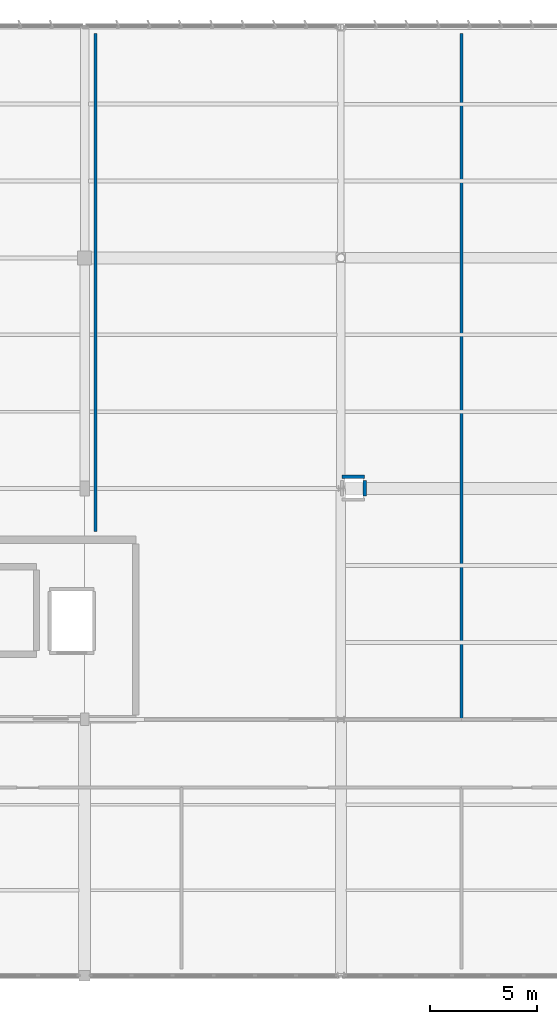
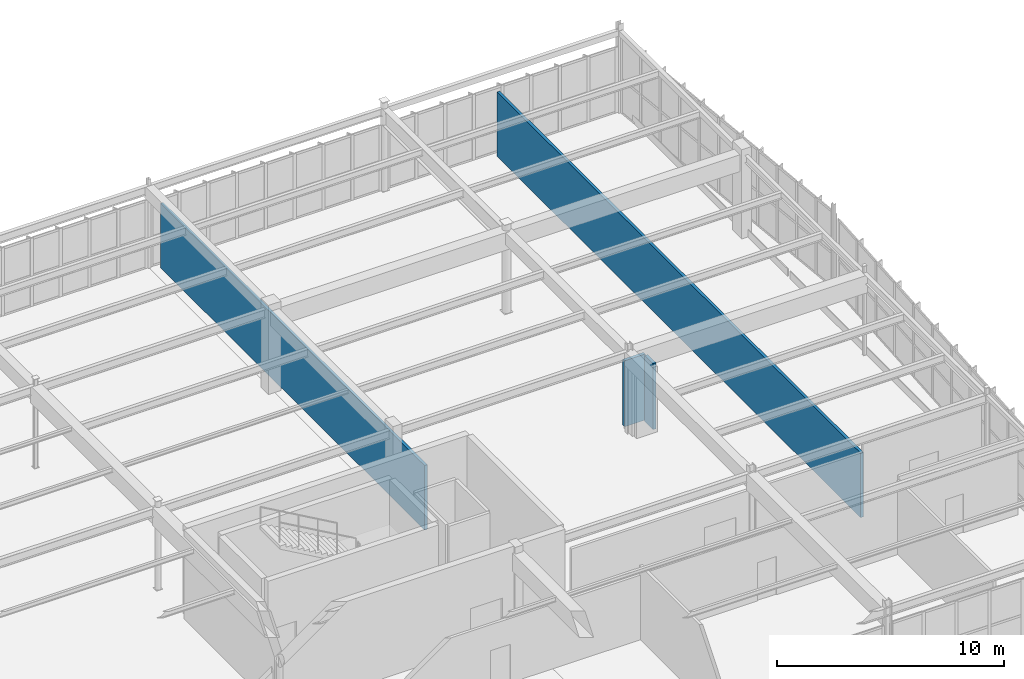
# One storey, part 199 of 226: 4 walls.
"""IFC4 building model written with IfcOpenShell, lengths in metres."""

import ifcopenshell
import ifcopenshell.guid

model = None  # the IFC model being written
_history = None  # IfcOwnerHistory: only IFC2X3 demands one
_inside = {}  # id of a spatial element -> (the spatial element, [elements in it])
_under = {}  # id of a project, library or spatial element -> (it, [spatial elements below it])
_declared = {}  # id of a project -> (the project, [libraries it declares])
_typed = {}  # id of a type object -> (the type object, [elements of that type])
_made_of = {}  # id of a material, layer set ... -> (it, [elements and type objects made of it])


def new_model(schema):
    """Start an empty IFC model of exactly this schema.

    Asked for "IFC4X3", IfcOpenShell would pick the latest addendum, in which some entities
    have other attributes; the version numbers below select the first issue.
    IFC2X3 requires an IfcOwnerHistory on every rooted entity: one is made here for all.
    """
    global model, _history
    if schema == "IFC4X3":
        model = ifcopenshell.file(schema_version=(4, 3, 0, 0))
    else:
        model = ifcopenshell.file(schema=schema)
    _inside.clear()
    _under.clear()
    _declared.clear()
    _typed.clear()
    _made_of.clear()
    _history = None
    if model.schema == "IFC2X3":
        org = make("IfcOrganization", Name="unknown")
        user = make(
            "IfcPersonAndOrganization",
            ThePerson=make("IfcPerson", FamilyName="unknown"),
            TheOrganization=org,
        )
        app = make(
            "IfcApplication",
            ApplicationDeveloper=org,
            Version="unknown",
            ApplicationFullName="unknown",
            ApplicationIdentifier="unknown",
        )
        _history = make(
            "IfcOwnerHistory",
            OwningUser=user,
            OwningApplication=app,
            ChangeAction="ADDED",
            CreationDate=0,
        )
    return model


def make(cls, **values):
    """One entity of the class cls with the attributes given. An attribute that is None is left unset."""
    return model.create_entity(
        cls, **{name: value for name, value in values.items() if value is not None}
    )


def rooted(cls, **values):
    """An entity with a GlobalId (a new one), such as an element, a storey or a relation."""
    return make(cls, GlobalId=ifcopenshell.guid.new(), OwnerHistory=_history, **values)


def si_unit(unit_type, name, prefix=None):
    """IfcSIUnit, for example si_unit("LENGTHUNIT", "METRE", prefix="MILLI")."""
    return make("IfcSIUnit", UnitType=unit_type, Prefix=prefix, Name=name)


def assignment(units):
    """IfcUnitAssignment: the units of a project."""
    return None if units is None else make("IfcUnitAssignment", Units=units)


def point(xyz):
    """IfcCartesianPoint."""
    return None if xyz is None else make("IfcCartesianPoint", Coordinates=xyz)


def direction(xyz):
    """IfcDirection."""
    return None if xyz is None else make("IfcDirection", DirectionRatios=xyz)


def frame(location, z_axis=None, x_axis=None):
    """IfcAxis2Placement3D, a coordinate frame: its origin and axes. An axis left out is left unset."""
    return make(
        "IfcAxis2Placement3D",
        Location=point(location),
        Axis=direction(z_axis),
        RefDirection=direction(x_axis),
    )


def frame_2d(location, x_axis=None):
    """IfcAxis2Placement2D, a coordinate frame in the plane: its origin and x axis."""
    return make(
        "IfcAxis2Placement2D", Location=point(location), RefDirection=direction(x_axis)
    )


def origin():
    """The frame at (0, 0, 0) with its axes left unset."""
    return frame((0.0, 0.0, 0.0))


def place(relative_to, where):
    """IfcLocalPlacement: puts the frame where relative to a parent placement (None: the world)."""
    return make(
        "IfcLocalPlacement", PlacementRelTo=relative_to, RelativePlacement=where
    )


def context(
    kind, dimensions, precision=None, world=None, true_north=None, identifier=None
):
    """IfcGeometricRepresentationContext, for example the 3D "Model" context."""
    return make(
        "IfcGeometricRepresentationContext",
        ContextIdentifier=identifier,
        ContextType=kind,
        CoordinateSpaceDimension=dimensions,
        Precision=precision,
        WorldCoordinateSystem=world,
        TrueNorth=true_north,
    )


def subcontext(parent, identifier, kind, view, scale=None):
    """IfcGeometricRepresentationSubContext, for example "Body" below "Model"."""
    return make(
        "IfcGeometricRepresentationSubContext",
        ContextIdentifier=identifier,
        ContextType=kind,
        ParentContext=parent,
        TargetScale=scale,
        TargetView=view,
    )


def project(units=None, contexts=None):
    """IfcProject with its units and contexts."""
    return rooted(
        "IfcProject",
        Name="project",
        RepresentationContexts=contexts,
        UnitsInContext=assignment(units),
    )


def spatial(cls, under=None, at=None, **own):
    """A site, building, storey or space (cls), placed at a placement, below another one or the project."""
    s = rooted(cls, ObjectPlacement=at, **own)
    if under is not None:
        _under.setdefault(under.id(), (under, []))[1].append(s)
    return s


def profile(cls, at=None, kind="AREA", **sizes):
    """A parametric profile (cls). Its sizes go by their IFC names, for example OverallWidth=200.0."""
    return make(cls, ProfileType=kind, Position=at, **sizes)


def rectangle(**sizes):
    """IfcRectangleProfileDef."""
    return profile("IfcRectangleProfileDef", **sizes)


def extrude(swept, where, along, depth):
    """IfcExtrudedAreaSolid: the profile swept, set in the frame where, extruded along a direction by depth."""
    return make(
        "IfcExtrudedAreaSolid",
        SweptArea=swept,
        Position=where,
        ExtrudedDirection=direction(along),
        Depth=depth,
    )


def shape(context_of_items, identifier, shape_type, items):
    """IfcShapeRepresentation: the items that make up one representation, for example the "Body"."""
    return make(
        "IfcShapeRepresentation",
        ContextOfItems=context_of_items,
        RepresentationIdentifier=identifier,
        RepresentationType=shape_type,
        Items=items,
    )


def material(Name=None, Category=None):
    """IfcMaterial."""
    return make("IfcMaterial", Name=Name, Category=Category)


def layer(
    of_material, thickness, ventilated=None, Name=None, Category=None, Priority=None
):
    """IfcMaterialLayer: one layer of a wall or slab, of a material (None: an air gap)."""
    return make(
        "IfcMaterialLayer",
        Material=of_material,
        LayerThickness=thickness,
        IsVentilated=ventilated,
        Name=Name,
        Category=Category,
        Priority=Priority,
    )


def layer_set(layers, Name=None):
    """IfcMaterialLayerSet."""
    return make("IfcMaterialLayerSet", MaterialLayers=layers, LayerSetName=Name)


def made_of(thing, what):
    """Note that an element or type object is made of a material, layer set ...; save() writes the relation."""
    if what is not None:
        _made_of.setdefault(what.id(), (what, []))[1].append(thing)
    return thing


def type_object(cls, material=None, **own):
    """A type object (cls), such as IfcWallType, which elements share."""
    return made_of(rooted(cls, **own), material)


def element(
    cls,
    number,
    at=None,
    inside=None,
    cuts=None,
    type_object=None,
    material=None,
    context=None,
    identifier="Body",
    shape_type=None,
    held_by="IfcProductDefinitionShape",
    body=None,
    shapes=None,
    **own,
):
    """One element of the class cls, such as IfcWall. Its Tag is "e" and its number.

    at: its placement. inside: the storey or other place that contains it. cuts: it is an
    opening in that element (IfcRelVoidsElement). A single representation is given by context,
    identifier, shape_type and body (its items); several are given by shapes. held_by: the class
    of the entity that holds the representations. save() writes the other relations.
    """
    e = rooted(cls, Tag="e%d" % number, ObjectPlacement=at, **own)
    if body is not None:
        shapes = [shape(context, identifier, shape_type, body)]
    if shapes is not None:
        e.Representation = make(held_by, Representations=shapes)
    if inside is not None:
        _inside.setdefault(inside.id(), (inside, []))[1].append(e)
    if cuts is not None:
        rooted(
            "IfcRelVoidsElement", RelatingBuildingElement=cuts, RelatedOpeningElement=e
        )
    if type_object is not None:
        _typed.setdefault(type_object.id(), (type_object, []))[1].append(e)
    return made_of(e, material)


def aggregate(whole, parts):
    """IfcRelAggregates: a whole, such as a stair, and the parts it consists of."""
    return rooted("IfcRelAggregates", RelatingObject=whole, RelatedObjects=parts)


def save(model, path):
    """Write the relations noted so far, then the file.

    IfcRelAggregates (storeys below a building ...), IfcRelContainedInSpatialStructure (elements
    in a storey), IfcRelDefinesByType, IfcRelAssociatesMaterial and IfcRelDeclares: one each for
    every whole, place, type object, material and project.
    """
    for whole, parts in _under.values():
        aggregate(whole, parts)
    for where, things in _inside.values():
        rooted(
            "IfcRelContainedInSpatialStructure",
            RelatedElements=things,
            RelatingStructure=where,
        )
    for kind, things in _typed.values():
        rooted("IfcRelDefinesByType", RelatedObjects=things, RelatingType=kind)
    for what, things in _made_of.values():
        rooted("IfcRelAssociatesMaterial", RelatedObjects=things, RelatingMaterial=what)
    for by, libraries in _declared.values():
        rooted("IfcRelDeclares", RelatingContext=by, RelatedDefinitions=libraries)
    model.write(path)


model = new_model("IFC4")

# Units and contexts
model_context = context("Model", 3, precision=1e-05, world=origin(), true_north=direction((0.0, 1.0)))
body_context = subcontext(model_context, "Body", "Model", "MODEL_VIEW")
ifc_project = project(units=[si_unit("LENGTHUNIT", "METRE"), si_unit("AREAUNIT", "SQUARE_METRE"), si_unit("VOLUMEUNIT", "CUBIC_METRE"), si_unit("PLANEANGLEUNIT", "RADIAN"), si_unit("MASSUNIT", "GRAM", prefix="KILO")], contexts=[model_context])

# Site, building, storey
site_placement = place(None, origin())
site = spatial("IfcSite", under=ifc_project, at=site_placement, CompositionType="ELEMENT")
building_placement = place(site_placement, origin())
building = spatial("IfcBuilding", under=site, at=building_placement, Name="Tarnwether General Hospital", CompositionType="ELEMENT")
storey_placement = place(building_placement, frame((0.0, 0.0, 4.800048828125)))
storey = spatial("IfcBuildingStorey", under=building, at=storey_placement, Name="L01", CompositionType="ELEMENT", Elevation=4.800048828125)

# Walls
ifc_material_1 = material(Name="Gypsum plasterboard")
ifc_layer_1 = layer(ifc_material_1, 0.139892578125)
ifc_layer_set_1 = layer_set([ifc_layer_1], Name="Gypsum plasterboard")
wall_type_1 = type_object("IfcWallType", Name="WL-PT140", PredefinedType="PARTITIONING", material=ifc_layer_set_1)
wall_1_placement = place(storey_placement, frame((168.50390625, 102.39990234375, 0.0), z_axis=(0.0, 0.0, 1.0), x_axis=(0.0, 1.0, 0.0)))
element("IfcWall", 1, at=wall_1_placement, inside=storey, type_object=wall_type_1, Name="Interior Partition PT-L01-0236", PredefinedType="PARTITIONING", context=body_context, shape_type="SweptSolid", body=[
    extrude(rectangle(XDim=23.300048828125, YDim=0.139892578125, at=frame_2d((11.64990234375, 0.0))), origin(), (0.0, 0.0, 1.0), 3.47998046875),
])
wall_2_placement = place(storey_placement, frame((185.64892578125, 93.60009765625, 0.0), z_axis=(0.0, 0.0, 1.0), x_axis=(0.0, 1.0, 0.0)))
element("IfcWall", 2, at=wall_2_placement, inside=storey, type_object=wall_type_1, Name="Interior Partition PT-L01-0238", PredefinedType="PARTITIONING", context=body_context, shape_type="SweptSolid", body=[
    extrude(rectangle(XDim=32.099853515625, YDim=0.139892578125, at=frame_2d((16.0498046875, 0.0))), origin(), (0.0, 0.0, 1.0), 3.47998046875),
])
ifc_material_2 = material(Name="Gypsum plasterboard")
ifc_layer_2 = layer(ifc_material_2, 0.159912109375)
ifc_layer_set_2 = layer_set([ifc_layer_2], Name="Gypsum plasterboard")
wall_type_2 = type_object("IfcWallType", Name="WL-PT160", PredefinedType="PARTITIONING", material=ifc_layer_set_2)
wall_3_placement = place(storey_placement, frame((181.110107421875, 104.949951171875, 0.0), z_axis=(0.0, 0.0, 1.0), x_axis=(-1.0, 0.0, 0.0)))
element("IfcWall", 3, at=wall_3_placement, inside=storey, type_object=wall_type_2, Name="Service Riser Enclosure SL-L01-V6N2 N", PredefinedType="PARTITIONING", context=body_context, shape_type="SweptSolid", body=[
    extrude(rectangle(XDim=1.06005859375, YDim=0.159912109375, at=frame_2d((0.530029296875, 0.0))), origin(), (0.0, 0.0, 1.0), 3.550048828125),
])
wall_4_placement = place(storey_placement, frame((181.110107421875, 104.050048828125, 0.0), z_axis=(0.0, 0.0, 1.0), x_axis=(0.0, 1.0, 0.0)))
element("IfcWall", 4, at=wall_4_placement, inside=storey, type_object=wall_type_2, Name="Service Riser Enclosure SL-L01-V6N2 E", PredefinedType="PARTITIONING", context=body_context, shape_type="SweptSolid", body=[
    extrude(rectangle(XDim=0.739990234375, YDim=0.159912109375, at=frame_2d((0.3701171875, 0.0))), origin(), (0.0, 0.0, 1.0), 3.550048828125),
])

save(model, "model.ifc")
